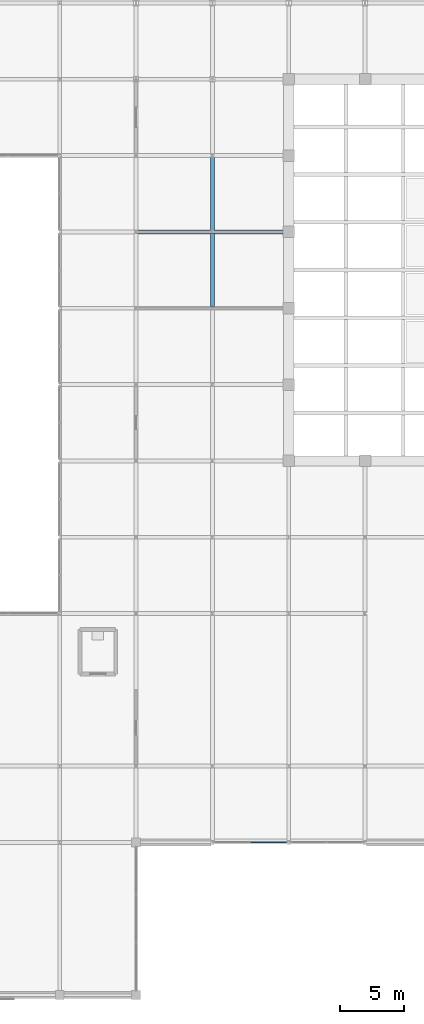
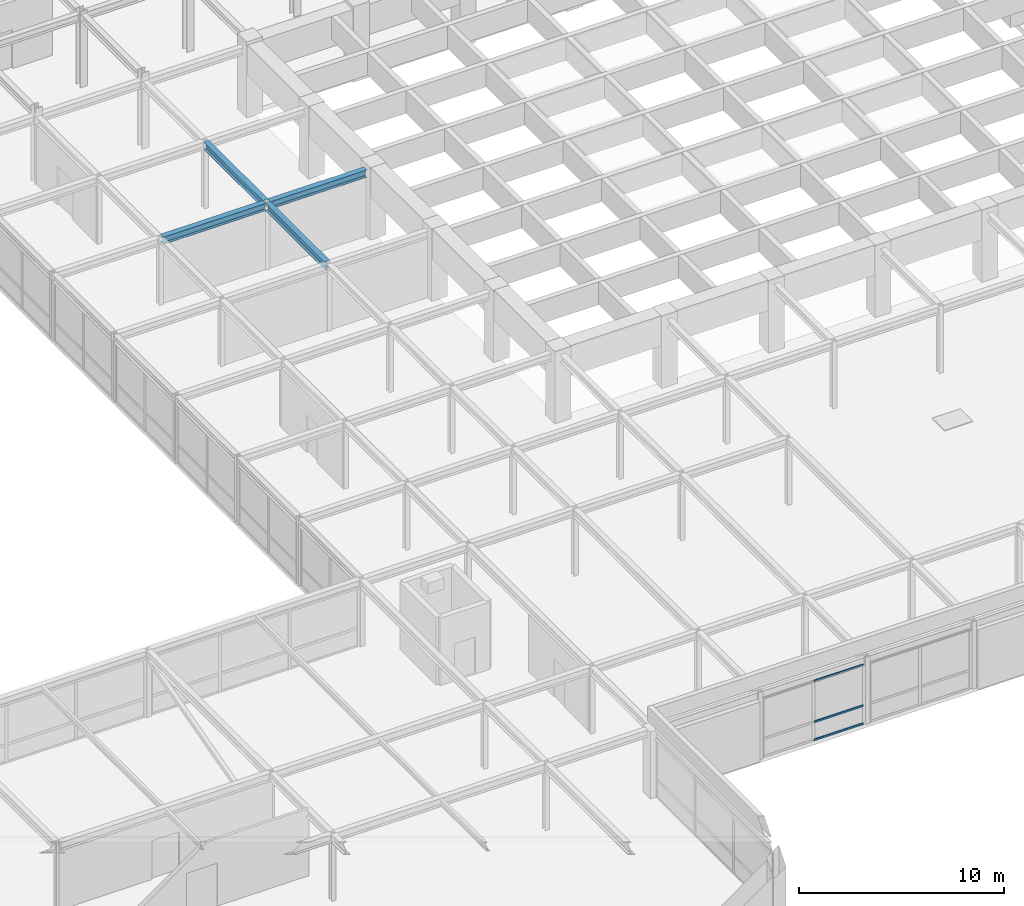
# One storey, part 54 of 111: 4 beams, 3 members, 1 element without a shape of its own.
"""IFC4 building model written with IfcOpenShell, lengths in metres."""

from ifc_helpers import new_model, si_unit, direction, frame, origin, origin_2d, place, context, subcontext, project, spatial, hollow_rectangle, i_section, extrude, material, layer, layer_set, material_profile, profile_set, type_object, element, aggregate, save


model = new_model("IFC4")

# Units and contexts
model_context = context("Model", 3, precision=1e-05, world=origin(), true_north=direction((0.0, 1.0)))
body_context = subcontext(model_context, "Body", "Model", "MODEL_VIEW")
ifc_project = project(units=[si_unit("LENGTHUNIT", "METRE"), si_unit("AREAUNIT", "SQUARE_METRE"), si_unit("VOLUMEUNIT", "CUBIC_METRE"), si_unit("PLANEANGLEUNIT", "RADIAN"), si_unit("MASSUNIT", "GRAM", prefix="KILO")], contexts=[model_context])

# Site, building, storey
site_placement = place(None, origin())
site = spatial("IfcSite", under=ifc_project, at=site_placement, CompositionType="ELEMENT")
building_placement = place(site_placement, origin())
building = spatial("IfcBuilding", under=site, at=building_placement, Name="Zlatovratsky Civic Hall", CompositionType="ELEMENT")
storey_placement = place(building_placement, frame((0.0, 0.0, 16.5)))
storey = spatial("IfcBuildingStorey", under=building, at=storey_placement, Name="L04", CompositionType="ELEMENT", Elevation=16.5)

# Beams
ifc_material_1 = material(Name="Steel S355", Category="steel")
ifc_material_profile_1 = material_profile(ifc_material_1, i_section(OverallWidth=0.300048828125, OverallDepth=0.43994140625, WebThickness=0.010986328125, FlangeThickness=0.01806640625, FilletRadius=0.02197265625, at=origin_2d()), Name="45Sh1")
ifc_profile_set_1 = profile_set([ifc_material_profile_1], Name="Steel S355")
beam_type = type_object("IfcBeamType", Name="Beam_TowerLow_45Sh1", PredefinedType="BEAM", material=ifc_profile_set_1)
beam_1_placement = place(storey_placement, frame((54.125, 60.0, 3.780029296875), z_axis=(1.0, 0.0, 0.0), x_axis=(0.0, 1.0, 0.0)))
element("IfcBeam", 1, at=beam_1_placement, inside=storey, type_object=beam_type, Name="BM-3323", PredefinedType="BEAM", context=body_context, shape_type="SweptSolid", body=[
    extrude(i_section(OverallWidth=0.300048828125, OverallDepth=0.43994140625, WebThickness=0.010986328125, FlangeThickness=0.01806640625, FilletRadius=0.02197265625, at=origin_2d()), origin(), (0.0, 0.0, 1.0), 5.75),
])
beam_2_placement = place(storey_placement, frame((60.125, 60.0, 3.780029296875), z_axis=(1.0, 0.0, 0.0), x_axis=(0.0, 1.0, 0.0)))
element("IfcBeam", 2, at=beam_2_placement, inside=storey, type_object=beam_type, Name="BM-3324", PredefinedType="BEAM", context=body_context, shape_type="SweptSolid", body=[
    extrude(i_section(OverallWidth=0.300048828125, OverallDepth=0.43994140625, WebThickness=0.010986328125, FlangeThickness=0.01806640625, FilletRadius=0.02197265625, at=origin_2d()), origin(), (0.0, 0.0, 1.0), 5.425048828125),
])
for number, where, z_axis, x_axis, name in (
    (3, (60.0, 54.125, 3.780029296875), (0.0, 1.0, 0.0), (-1.0, 0.0, 0.0), "BM-3625"),
    (4, (60.0, 60.125, 3.780029296875), (0.0, 1.0, 0.0), (-1.0, 0.0, 0.0), "BM-3626"),
):
    element("IfcBeam", number, at=place(storey_placement, frame(where, z_axis=z_axis, x_axis=x_axis)), inside=storey, type_object=beam_type, Name=name, PredefinedType="BEAM", context=body_context, shape_type="SweptSolid", body=[
        extrude(i_section(OverallWidth=0.300048828125, OverallDepth=0.43994140625, WebThickness=0.010986328125, FlangeThickness=0.01806640625, FilletRadius=0.02197265625, at=origin_2d()), origin(), (0.0, 0.0, 1.0), 5.75),
    ])

# Curtain wall, members
ifc_material_2 = material(Name="Anodised bronze aluminium", Category="aluminium")
ifc_layer = layer(ifc_material_2, 0.159912109375)
ifc_layer_set = layer_set([ifc_layer], Name="Anodised bronze aluminium")
curtain_wall_type = type_object("IfcCurtainWallType", Name="CurtainWall_Bronze_5750x3550_14", PredefinedType="NOTDEFINED", material=ifc_layer_set)
curtain_wall_placement = place(storey_placement, origin())
curtain_wall = element("IfcCurtainWall", 5, at=curtain_wall_placement, inside=storey, type_object=curtain_wall_type, Name="CW-089", PredefinedType="NOTDEFINED")
ifc_material_profile_2 = material_profile(ifc_material_2, hollow_rectangle(XDim=0.06005859375, YDim=0.1201171875, WallThickness=0.00390625, at=origin_2d()), Name="ALU 60x120x4")
ifc_profile_set_2 = profile_set([ifc_material_profile_2], Name="Anodised bronze aluminium")
member_type = type_object("IfcMemberType", Name="CW_Transom_60x120", PredefinedType="USERDEFINED", material=ifc_profile_set_2)
member_1_placement = place(storey_placement, frame((63.030029296875, 12.0, 0.030029296875), z_axis=(1.0, 0.0, 0.0), x_axis=(0.0, 1.0, 0.0)))
member_1 = element("IfcMember", 6, at=member_1_placement, type_object=member_type, Name="CW-14 transom 2.1", ObjectType="TRANSOM", PredefinedType="USERDEFINED", context=body_context, shape_type="SweptSolid", body=[
    extrude(hollow_rectangle(XDim=0.06005859375, YDim=0.1201171875, WallThickness=0.00390625, at=origin_2d()), origin(), (0.0, 0.0, 1.0), 2.784912109375),
])
member_2_placement = place(storey_placement, frame((63.030029296875, 12.0, 1.10009765625), z_axis=(1.0, 0.0, 0.0), x_axis=(0.0, 1.0, 0.0)))
member_2 = element("IfcMember", 7, at=member_2_placement, type_object=member_type, Name="CW-14 transom 2.2", ObjectType="TRANSOM", PredefinedType="USERDEFINED", context=body_context, shape_type="SweptSolid", body=[
    extrude(hollow_rectangle(XDim=0.06005859375, YDim=0.1201171875, WallThickness=0.00390625, at=origin_2d()), origin(), (0.0, 0.0, 1.0), 2.784912109375),
])
member_3_placement = place(storey_placement, frame((63.030029296875, 12.0, 3.52001953125), z_axis=(1.0, 0.0, 0.0), x_axis=(0.0, 1.0, 0.0)))
member_3 = element("IfcMember", 8, at=member_3_placement, type_object=member_type, Name="CW-14 transom 2.3", ObjectType="TRANSOM", PredefinedType="USERDEFINED", context=body_context, shape_type="SweptSolid", body=[
    extrude(hollow_rectangle(XDim=0.06005859375, YDim=0.1201171875, WallThickness=0.00390625, at=origin_2d()), origin(), (0.0, 0.0, 1.0), 2.784912109375),
])
aggregate(curtain_wall, [member_1, member_2, member_3])

save(model, "model.ifc")
